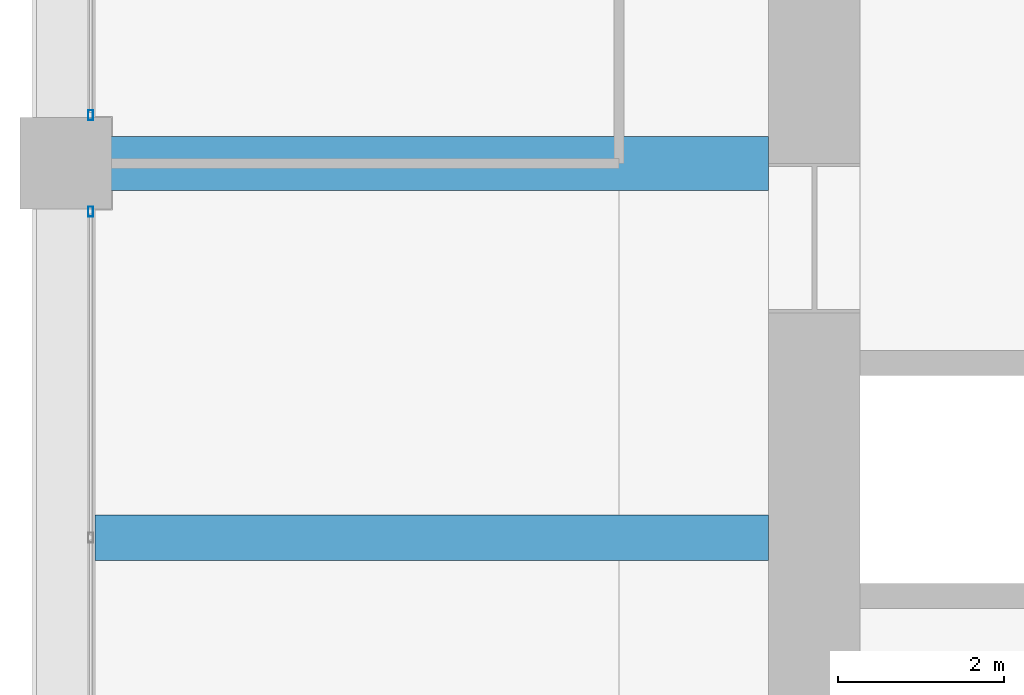
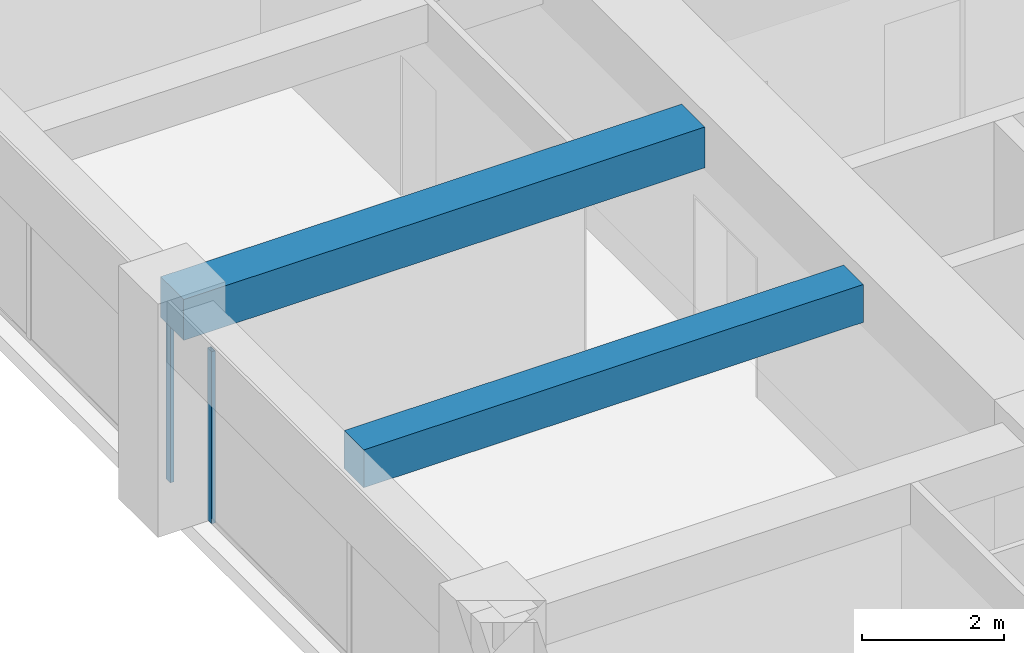
# One storey, part 15 of 44: 2 beams, 2 members, 2 elements without a shape of their own.
"""IFC4 building model written with IfcOpenShell, lengths in metres."""

import ifcopenshell
import ifcopenshell.guid

model = None  # the IFC model being written
_history = None  # IfcOwnerHistory: only IFC2X3 demands one
_inside = {}  # id of a spatial element -> (the spatial element, [elements in it])
_under = {}  # id of a project, library or spatial element -> (it, [spatial elements below it])
_declared = {}  # id of a project -> (the project, [libraries it declares])
_typed = {}  # id of a type object -> (the type object, [elements of that type])
_made_of = {}  # id of a material, layer set ... -> (it, [elements and type objects made of it])


def new_model(schema):
    """Start an empty IFC model of exactly this schema.

    Asked for "IFC4X3", IfcOpenShell would pick the latest addendum, in which some entities
    have other attributes; the version numbers below select the first issue.
    IFC2X3 requires an IfcOwnerHistory on every rooted entity: one is made here for all.
    """
    global model, _history
    if schema == "IFC4X3":
        model = ifcopenshell.file(schema_version=(4, 3, 0, 0))
    else:
        model = ifcopenshell.file(schema=schema)
    _inside.clear()
    _under.clear()
    _declared.clear()
    _typed.clear()
    _made_of.clear()
    _history = None
    if model.schema == "IFC2X3":
        org = make("IfcOrganization", Name="unknown")
        user = make(
            "IfcPersonAndOrganization",
            ThePerson=make("IfcPerson", FamilyName="unknown"),
            TheOrganization=org,
        )
        app = make(
            "IfcApplication",
            ApplicationDeveloper=org,
            Version="unknown",
            ApplicationFullName="unknown",
            ApplicationIdentifier="unknown",
        )
        _history = make(
            "IfcOwnerHistory",
            OwningUser=user,
            OwningApplication=app,
            ChangeAction="ADDED",
            CreationDate=0,
        )
    return model


def make(cls, **values):
    """One entity of the class cls with the attributes given. An attribute that is None is left unset."""
    return model.create_entity(
        cls, **{name: value for name, value in values.items() if value is not None}
    )


def rooted(cls, **values):
    """An entity with a GlobalId (a new one), such as an element, a storey or a relation."""
    return make(cls, GlobalId=ifcopenshell.guid.new(), OwnerHistory=_history, **values)


def si_unit(unit_type, name, prefix=None):
    """IfcSIUnit, for example si_unit("LENGTHUNIT", "METRE", prefix="MILLI")."""
    return make("IfcSIUnit", UnitType=unit_type, Prefix=prefix, Name=name)


def assignment(units):
    """IfcUnitAssignment: the units of a project."""
    return None if units is None else make("IfcUnitAssignment", Units=units)


def point(xyz):
    """IfcCartesianPoint."""
    return None if xyz is None else make("IfcCartesianPoint", Coordinates=xyz)


def direction(xyz):
    """IfcDirection."""
    return None if xyz is None else make("IfcDirection", DirectionRatios=xyz)


def frame(location, z_axis=None, x_axis=None):
    """IfcAxis2Placement3D, a coordinate frame: its origin and axes. An axis left out is left unset."""
    return make(
        "IfcAxis2Placement3D",
        Location=point(location),
        Axis=direction(z_axis),
        RefDirection=direction(x_axis),
    )


def frame_2d(location, x_axis=None):
    """IfcAxis2Placement2D, a coordinate frame in the plane: its origin and x axis."""
    return make(
        "IfcAxis2Placement2D", Location=point(location), RefDirection=direction(x_axis)
    )


def origin():
    """The frame at (0, 0, 0) with its axes left unset."""
    return frame((0.0, 0.0, 0.0))


def origin_2d():
    """The frame at (0, 0) in the plane with its x axis left unset."""
    return frame_2d((0.0, 0.0))


def place(relative_to, where):
    """IfcLocalPlacement: puts the frame where relative to a parent placement (None: the world)."""
    return make(
        "IfcLocalPlacement", PlacementRelTo=relative_to, RelativePlacement=where
    )


def context(
    kind, dimensions, precision=None, world=None, true_north=None, identifier=None
):
    """IfcGeometricRepresentationContext, for example the 3D "Model" context."""
    return make(
        "IfcGeometricRepresentationContext",
        ContextIdentifier=identifier,
        ContextType=kind,
        CoordinateSpaceDimension=dimensions,
        Precision=precision,
        WorldCoordinateSystem=world,
        TrueNorth=true_north,
    )


def subcontext(parent, identifier, kind, view, scale=None):
    """IfcGeometricRepresentationSubContext, for example "Body" below "Model"."""
    return make(
        "IfcGeometricRepresentationSubContext",
        ContextIdentifier=identifier,
        ContextType=kind,
        ParentContext=parent,
        TargetScale=scale,
        TargetView=view,
    )


def project(units=None, contexts=None):
    """IfcProject with its units and contexts."""
    return rooted(
        "IfcProject",
        Name="project",
        RepresentationContexts=contexts,
        UnitsInContext=assignment(units),
    )


def spatial(cls, under=None, at=None, **own):
    """A site, building, storey or space (cls), placed at a placement, below another one or the project."""
    s = rooted(cls, ObjectPlacement=at, **own)
    if under is not None:
        _under.setdefault(under.id(), (under, []))[1].append(s)
    return s


def profile(cls, at=None, kind="AREA", **sizes):
    """A parametric profile (cls). Its sizes go by their IFC names, for example OverallWidth=200.0."""
    return make(cls, ProfileType=kind, Position=at, **sizes)


def rectangle(**sizes):
    """IfcRectangleProfileDef."""
    return profile("IfcRectangleProfileDef", **sizes)


def hollow_rectangle(**sizes):
    """IfcRectangleHollowProfileDef."""
    return profile("IfcRectangleHollowProfileDef", **sizes)


def extrude(swept, where, along, depth):
    """IfcExtrudedAreaSolid: the profile swept, set in the frame where, extruded along a direction by depth."""
    return make(
        "IfcExtrudedAreaSolid",
        SweptArea=swept,
        Position=where,
        ExtrudedDirection=direction(along),
        Depth=depth,
    )


def shape(context_of_items, identifier, shape_type, items):
    """IfcShapeRepresentation: the items that make up one representation, for example the "Body"."""
    return make(
        "IfcShapeRepresentation",
        ContextOfItems=context_of_items,
        RepresentationIdentifier=identifier,
        RepresentationType=shape_type,
        Items=items,
    )


def material(Name=None, Category=None):
    """IfcMaterial."""
    return make("IfcMaterial", Name=Name, Category=Category)


def material_profile(
    of_material, cross_section, Name=None, Category=None, Priority=None
):
    """IfcMaterialProfile: a cross section and its material."""
    return make(
        "IfcMaterialProfile",
        Name=Name,
        Material=of_material,
        Profile=cross_section,
        Priority=Priority,
        Category=Category,
    )


def profile_set(profiles, Name=None, composite=None):
    """IfcMaterialProfileSet."""
    return make(
        "IfcMaterialProfileSet",
        Name=Name,
        MaterialProfiles=profiles,
        CompositeProfile=composite,
    )


def made_of(thing, what):
    """Note that an element or type object is made of a material, layer set ...; save() writes the relation."""
    if what is not None:
        _made_of.setdefault(what.id(), (what, []))[1].append(thing)
    return thing


def type_object(cls, material=None, **own):
    """A type object (cls), such as IfcWallType, which elements share."""
    return made_of(rooted(cls, **own), material)


def element(
    cls,
    number,
    at=None,
    inside=None,
    cuts=None,
    type_object=None,
    material=None,
    context=None,
    identifier="Body",
    shape_type=None,
    held_by="IfcProductDefinitionShape",
    body=None,
    shapes=None,
    **own,
):
    """One element of the class cls, such as IfcWall. Its Tag is "e" and its number.

    at: its placement. inside: the storey or other place that contains it. cuts: it is an
    opening in that element (IfcRelVoidsElement). A single representation is given by context,
    identifier, shape_type and body (its items); several are given by shapes. held_by: the class
    of the entity that holds the representations. save() writes the other relations.
    """
    e = rooted(cls, Tag="e%d" % number, ObjectPlacement=at, **own)
    if body is not None:
        shapes = [shape(context, identifier, shape_type, body)]
    if shapes is not None:
        e.Representation = make(held_by, Representations=shapes)
    if inside is not None:
        _inside.setdefault(inside.id(), (inside, []))[1].append(e)
    if cuts is not None:
        rooted(
            "IfcRelVoidsElement", RelatingBuildingElement=cuts, RelatedOpeningElement=e
        )
    if type_object is not None:
        _typed.setdefault(type_object.id(), (type_object, []))[1].append(e)
    return made_of(e, material)


def aggregate(whole, parts):
    """IfcRelAggregates: a whole, such as a stair, and the parts it consists of."""
    return rooted("IfcRelAggregates", RelatingObject=whole, RelatedObjects=parts)


def save(model, path):
    """Write the relations noted so far, then the file.

    IfcRelAggregates (storeys below a building ...), IfcRelContainedInSpatialStructure (elements
    in a storey), IfcRelDefinesByType, IfcRelAssociatesMaterial and IfcRelDeclares: one each for
    every whole, place, type object, material and project.
    """
    for whole, parts in _under.values():
        aggregate(whole, parts)
    for where, things in _inside.values():
        rooted(
            "IfcRelContainedInSpatialStructure",
            RelatedElements=things,
            RelatingStructure=where,
        )
    for kind, things in _typed.values():
        rooted("IfcRelDefinesByType", RelatedObjects=things, RelatingType=kind)
    for what, things in _made_of.values():
        rooted("IfcRelAssociatesMaterial", RelatedObjects=things, RelatingMaterial=what)
    for by, libraries in _declared.values():
        rooted("IfcRelDeclares", RelatingContext=by, RelatedDefinitions=libraries)
    model.write(path)


model = new_model("IFC4")

# Units and contexts
model_context = context("Model", 3, precision=1e-05, world=origin(), true_north=direction((0.0, 1.0)))
body_context = subcontext(model_context, "Body", "Model", "MODEL_VIEW")
ifc_project = project(units=[si_unit("LENGTHUNIT", "METRE"), si_unit("AREAUNIT", "SQUARE_METRE"), si_unit("VOLUMEUNIT", "CUBIC_METRE"), si_unit("PLANEANGLEUNIT", "RADIAN"), si_unit("MASSUNIT", "GRAM", prefix="KILO")], contexts=[model_context])

# Site, building, storey
site_placement = place(None, origin())
site = spatial("IfcSite", under=ifc_project, at=site_placement, CompositionType="ELEMENT")
building_placement = place(site_placement, origin())
building = spatial("IfcBuilding", under=site, at=building_placement, Name="Zorevar Civic Tower", CompositionType="ELEMENT")
storey_placement = place(building_placement, frame((0.0, 0.0, 283.39990234375)))
storey = spatial("IfcBuildingStorey", under=building, at=storey_placement, Name="L69", CompositionType="ELEMENT", Elevation=283.39990234375)

# Beams
ifc_material_1 = material(Name="Concrete C50/60", Category="concrete")
ifc_material_profile_1 = material_profile(ifc_material_1, rectangle(XDim=0.550048828125, YDim=0.64990234375, at=origin_2d()), Name="RC 550x650")
ifc_profile_set_1 = profile_set([ifc_material_profile_1], Name="Concrete C50/60")
beam_type_1 = type_object("IfcBeamType", Name="Beam RC 550x650", PredefinedType="BEAM", material=ifc_profile_set_1)
beam_1_placement = place(storey_placement, frame((9.35009765625, 22.5, 3.425048828125), z_axis=(1.0, 0.0, 0.0), x_axis=(0.0, 1.0, 0.0)))
element("IfcBeam", 1, at=beam_1_placement, inside=storey, type_object=beam_type_1, Name="Secondary beam L70", PredefinedType="BEAM", context=body_context, shape_type="SweptSolid", body=[
    extrude(rectangle(XDim=0.550048828125, YDim=0.64990234375, at=origin_2d()), origin(), (0.0, 0.0, 1.0), 8.099853515625),
])
ifc_material_2 = material(Name="Concrete C50/60", Category="concrete")
ifc_material_profile_2 = material_profile(ifc_material_2, rectangle(XDim=0.64990234375, YDim=0.699951171875, at=origin_2d()), Name="RC 650x700")
ifc_profile_set_2 = profile_set([ifc_material_profile_2], Name="Concrete C50/60")
beam_type_2 = type_object("IfcBeamType", Name="Beam RC 650x700", PredefinedType="BEAM", material=ifc_profile_set_2)
beam_2_placement = place(storey_placement, frame((9.0, 27.0, 3.400146484375), z_axis=(1.0, 0.0, 0.0), x_axis=(0.0, 1.0, 0.0)))
element("IfcBeam", 2, at=beam_2_placement, inside=storey, type_object=beam_type_2, Name="Girder L70", PredefinedType="BEAM", context=body_context, shape_type="SweptSolid", body=[
    extrude(rectangle(XDim=0.64990234375, YDim=0.699951171875, at=origin_2d()), origin(), (0.0, 0.0, 1.0), 8.449951171875),
])

# Curtain wall, member
ifc_material_3 = material(Name="Dark grey solar-control glass in black aluminium frame", Category="aluminium")
curtain_wall_type = type_object("IfcCurtainWallType", Name="Curtain wall CW5 top zone", PredefinedType="NOTDEFINED", material=ifc_material_3)
curtain_wall_1_placement = place(storey_placement, origin())
curtain_wall_1 = element("IfcCurtainWall", 3, at=curtain_wall_1_placement, inside=storey, type_object=curtain_wall_type, Name="CW5 L69", PredefinedType="NOTDEFINED")
ifc_material_4 = material(Name="Aluminium, black anodised", Category="aluminium")
ifc_material_profile_3 = material_profile(ifc_material_4, hollow_rectangle(XDim=0.06005859375, YDim=0.1201171875, WallThickness=0.0029296875, at=origin_2d()), Name="AL 120x60x3")
ifc_profile_set_3 = profile_set([ifc_material_profile_3], Name="Aluminium, black anodised")
member_type = type_object("IfcMemberType", Name="CW5 mullion AL 120x60x3", PredefinedType="MULLION", material=ifc_profile_set_3)
member_1_placement = place(storey_placement, frame((9.300048828125, 26.419921875, 0.0), z_axis=(0.0, 0.0, 1.0), x_axis=(-1.0, 0.0, 0.0)))
member_1 = element("IfcMember", 4, at=member_1_placement, type_object=member_type, Name="CW5 mullion 3", PredefinedType="MULLION", context=body_context, shape_type="SweptSolid", body=[
    extrude(hollow_rectangle(XDim=0.06005859375, YDim=0.1201171875, WallThickness=0.0029296875, at=origin_2d()), origin(), (0.0, 0.0, 1.0), 2.9501953125),
])
aggregate(curtain_wall_1, [member_1])

curtain_wall_2_placement = place(storey_placement, origin())
curtain_wall_2 = element("IfcCurtainWall", 5, at=curtain_wall_2_placement, inside=storey, type_object=curtain_wall_type, Name="CW5 L69", PredefinedType="NOTDEFINED")
member_2_placement = place(storey_placement, frame((9.300048828125, 27.580078125, 0.0), z_axis=(0.0, 0.0, 1.0), x_axis=(-1.0, 0.0, 0.0)))
member_2 = element("IfcMember", 6, at=member_2_placement, type_object=member_type, Name="CW5 mullion 1", PredefinedType="MULLION", context=body_context, shape_type="SweptSolid", body=[
    extrude(hollow_rectangle(XDim=0.06005859375, YDim=0.1201171875, WallThickness=0.0029296875, at=origin_2d()), origin(), (0.0, 0.0, 1.0), 2.9501953125),
])
aggregate(curtain_wall_2, [member_2])

save(model, "model.ifc")
